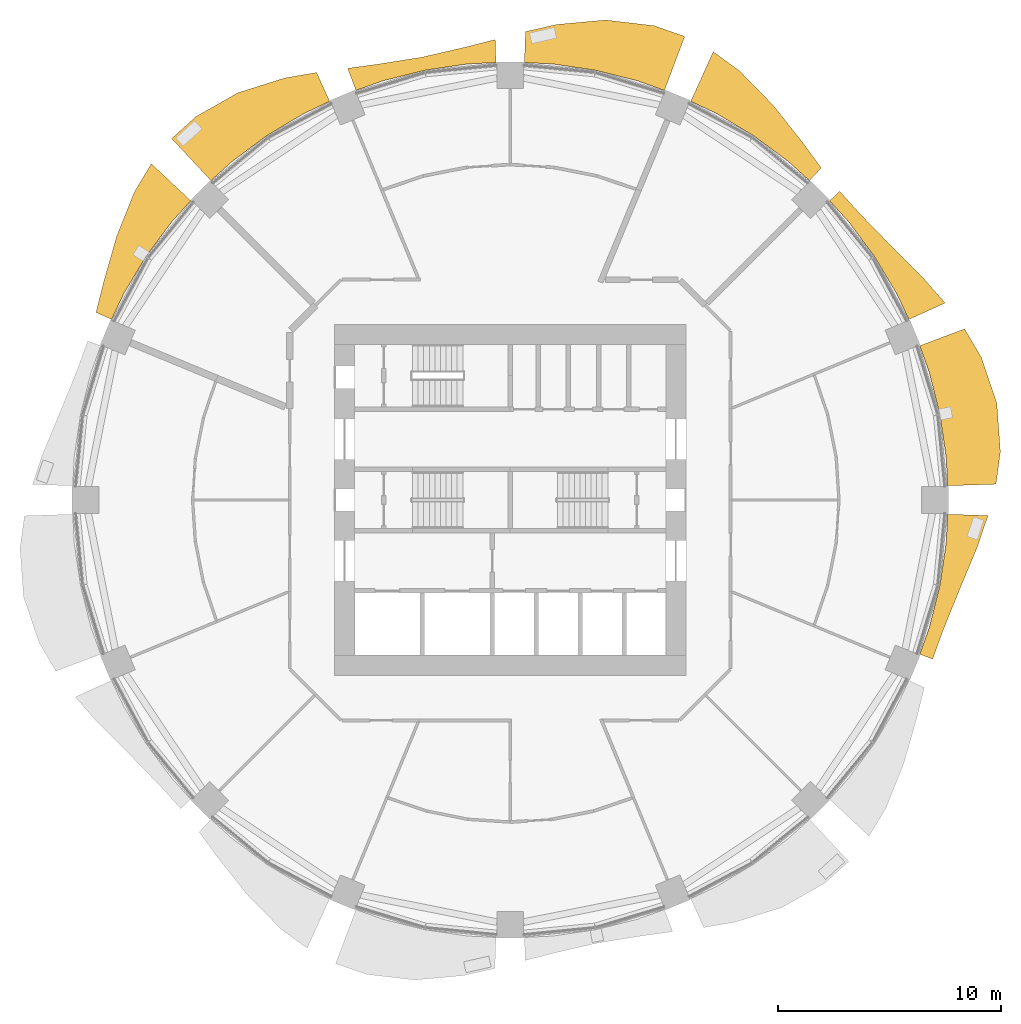
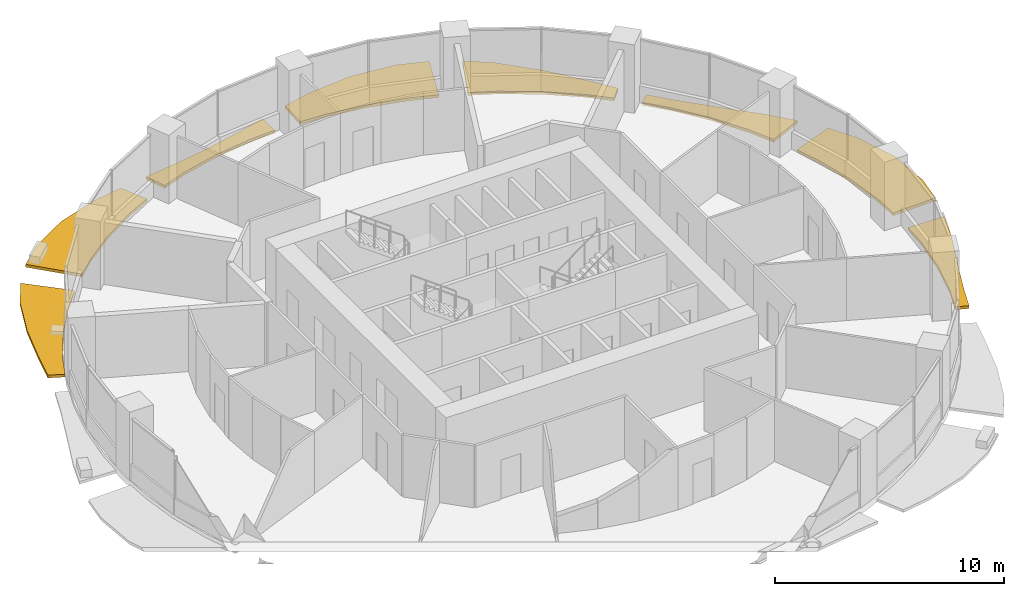
# One storey, part 14 of 15: 8 shading devices.
"""IFC4 building model written with IfcOpenShell, lengths in metres."""

from ifc_helpers import new_model, si_unit, direction, frame, origin, place, context, subcontext, project, spatial, polyline, outline, extrude, material, type_object, element, save


model = new_model("IFC4")

# Units and contexts
model_context = context("Model", 3, precision=1e-05, world=origin(), true_north=direction((0.0, 1.0)))
body_context = subcontext(model_context, "Body", "Model", "MODEL_VIEW")
ifc_project = project(units=[si_unit("LENGTHUNIT", "METRE"), si_unit("AREAUNIT", "SQUARE_METRE"), si_unit("VOLUMEUNIT", "CUBIC_METRE"), si_unit("PLANEANGLEUNIT", "RADIAN"), si_unit("MASSUNIT", "GRAM", prefix="KILO")], contexts=[model_context])

# Site, building, storey
site_placement = place(None, origin())
site = spatial("IfcSite", under=ifc_project, at=site_placement, CompositionType="ELEMENT")
building_placement = place(site_placement, origin())
building = spatial("IfcBuilding", under=site, at=building_placement, Name="Polderwave Tower", CompositionType="ELEMENT")
storey_placement = place(building_placement, frame((0.0, 0.0, 51.75)))
storey = spatial("IfcBuildingStorey", under=building, at=storey_placement, Name="L13", CompositionType="ELEMENT", Elevation=51.75)

# Shading devices
ifc_material = material(Name="Terracotta", Category="masonry")
shading_device_type = type_object("IfcShadingDeviceType", Name="Terracotta sunshade band", PredefinedType="USERDEFINED", material=ifc_material)
shading_device_1_placement = place(storey_placement, frame((0.0, 0.0, -0.35009765625)))
element("IfcShadingDevice", 1, at=shading_device_1_placement, inside=storey, type_object=shading_device_type, Name="Sunshade band L13 1", ObjectType="SUNSHADE", PredefinedType="USERDEFINED", context=body_context, shape_type="SweptSolid", body=[
    extrude(outline(polyline([(19.5986328125, 0.637939453125), (19.535400390625, 1.924072265625), (19.252685546875, 3.82958984375), (18.78466796875, 5.6982421875), (18.35107421875, 6.91064453125), (20.3564453125, 7.665771484375), (21.10400390625, 6.40185546875), (21.802734375, 4.3369140625), (21.962890625, 2.1630859375), (21.763916015625, 0.70849609375), (19.5986328125, 0.637939453125)])), origin(), (0.0, 0.0, 1.0), 0.150146484375),
])
shading_device_2_placement = place(storey_placement, frame((0.0, 0.0, -0.35009765625)))
element("IfcShadingDevice", 2, at=shading_device_2_placement, inside=storey, type_object=shading_device_type, Name="Sunshade band L13 2", ObjectType="SUNSHADE", PredefinedType="USERDEFINED", context=body_context, shape_type="SweptSolid", body=[
    extrude(outline(polyline([(17.862548828125, 8.089599609375), (17.31201171875, 9.25341796875), (16.32177734375, 10.90576171875), (15.17431640625, 12.453125), (14.3095703125, 13.4072265625), (14.763671875, 13.83251953125), (15.65087890625, 12.84423828125), (17.055908203125, 11.396484375), (18.5390625, 9.9091796875), (19.486328125, 8.824951171875), (17.862548828125, 8.089599609375)])), origin(), (0.0, 0.0, 1.0), 0.150146484375),
])
shading_device_3_placement = place(storey_placement, frame((0.0, 0.0, -0.35009765625)))
element("IfcShadingDevice", 3, at=shading_device_3_placement, inside=storey, type_object=shading_device_type, Name="Sunshade band L13 3", ObjectType="SUNSHADE", PredefinedType="USERDEFINED", context=body_context, shape_type="SweptSolid", body=[
    extrude(outline(polyline([(13.4072265625, 14.3095703125), (12.453125, 15.17431640625), (10.90576171875, 16.32177734375), (9.25341796875, 17.31201171875), (8.089599609375, 17.862548828125), (9.09619140625, 20.085205078125), (10.275146484375, 19.223388671875), (11.802490234375, 17.663818359375), (13.123046875, 15.990478515625), (13.9375, 14.87548828125), (13.4072265625, 14.3095703125)])), origin(), (0.0, 0.0, 1.0), 0.150146484375),
])
shading_device_4_placement = place(storey_placement, frame((0.0, 0.0, -0.35009765625)))
element("IfcShadingDevice", 4, at=shading_device_4_placement, inside=storey, type_object=shading_device_type, Name="Sunshade band L13 4", ObjectType="SUNSHADE", PredefinedType="USERDEFINED", context=body_context, shape_type="SweptSolid", body=[
    extrude(outline(polyline([(6.91064453125, 18.35107421875), (5.6982421875, 18.78466796875), (3.82958984375, 19.252685546875), (1.924072265625, 19.535400390625), (0.637939453125, 19.5986328125), (0.683349609375, 20.988037109375), (2.0986328125, 21.30810546875), (4.27783203125, 21.505859375), (6.446533203125, 21.251708984375), (7.821044921875, 20.7685546875), (6.91064453125, 18.35107421875)])), origin(), (0.0, 0.0, 1.0), 0.150146484375),
])
shading_device_5_placement = place(storey_placement, frame((0.0, 0.0, -0.35009765625)))
element("IfcShadingDevice", 5, at=shading_device_5_placement, inside=storey, type_object=shading_device_type, Name="Sunshade band L13 5", ObjectType="SUNSHADE", PredefinedType="USERDEFINED", context=body_context, shape_type="SweptSolid", body=[
    extrude(outline(polyline([(-0.637939453125, 19.5986328125), (-1.924072265625, 19.535400390625), (-3.82958984375, 19.252685546875), (-5.6982421875, 18.78466796875), (-6.91064453125, 18.35107421875), (-7.283203125, 19.340087890625), (-5.923583984375, 19.527587890625), (-3.94677734375, 19.84130859375), (-1.998779296875, 20.29248046875), (-0.671630859375, 20.6318359375), (-0.637939453125, 19.5986328125)])), origin(), (0.0, 0.0, 1.0), 0.150146484375),
])
shading_device_6_placement = place(storey_placement, frame((0.0, 0.0, -0.35009765625)))
element("IfcShadingDevice", 6, at=shading_device_6_placement, inside=storey, type_object=shading_device_type, Name="Sunshade band L13 6", ObjectType="SUNSHADE", PredefinedType="USERDEFINED", context=body_context, shape_type="SweptSolid", body=[
    extrude(outline(polyline([(-8.089599609375, 17.862548828125), (-9.25341796875, 17.31201171875), (-10.90576171875, 16.32177734375), (-12.453125, 15.17431640625), (-13.4072265625, 14.3095703125), (-15.169677734375, 16.190673828125), (-14.092041015625, 17.171142578125), (-12.193115234375, 18.248291015625), (-10.106201171875, 18.9072265625), (-8.67431640625, 19.154052734375), (-8.089599609375, 17.862548828125)])), origin(), (0.0, 0.0, 1.0), 0.150146484375),
])
shading_device_7_placement = place(storey_placement, frame((0.0, 0.0, -0.35009765625)))
element("IfcShadingDevice", 7, at=shading_device_7_placement, inside=storey, type_object=shading_device_type, Name="Sunshade band L13 7", ObjectType="SUNSHADE", PredefinedType="USERDEFINED", context=body_context, shape_type="SweptSolid", body=[
    extrude(outline(polyline([(-14.3095703125, 13.4072265625), (-15.17431640625, 12.453125), (-16.32177734375, 10.90576171875), (-17.31201171875, 9.25341796875), (-17.862548828125, 8.089599609375), (-18.55517578125, 8.4033203125), (-18.222900390625, 9.740478515625), (-17.640380859375, 11.787109375), (-16.831298828125, 13.813232421875), (-16.07861328125, 15.064697265625), (-14.3095703125, 13.4072265625)])), origin(), (0.0, 0.0, 1.0), 0.150146484375),
])
shading_device_8_placement = place(storey_placement, frame((0.0, 0.0, -0.35009765625)))
element("IfcShadingDevice", 8, at=shading_device_8_placement, inside=storey, type_object=shading_device_type, Name="Sunshade band L13 16", ObjectType="SUNSHADE", PredefinedType="USERDEFINED", context=body_context, shape_type="SweptSolid", body=[
    extrude(outline(polyline([(18.35107421875, -6.91064453125), (18.78466796875, -5.6982421875), (19.252685546875, -3.82958984375), (19.535400390625, -1.924072265625), (19.5986328125, -0.637939453125), (21.40771484375, -0.697021484375), (20.947265625, -2.06298828125), (20.13818359375, -4.005859375), (19.3798828125, -5.87890625), (18.92822265625, -7.1279296875), (18.35107421875, -6.91064453125)])), origin(), (0.0, 0.0, 1.0), 0.150146484375),
])

save(model, "model.ifc")
